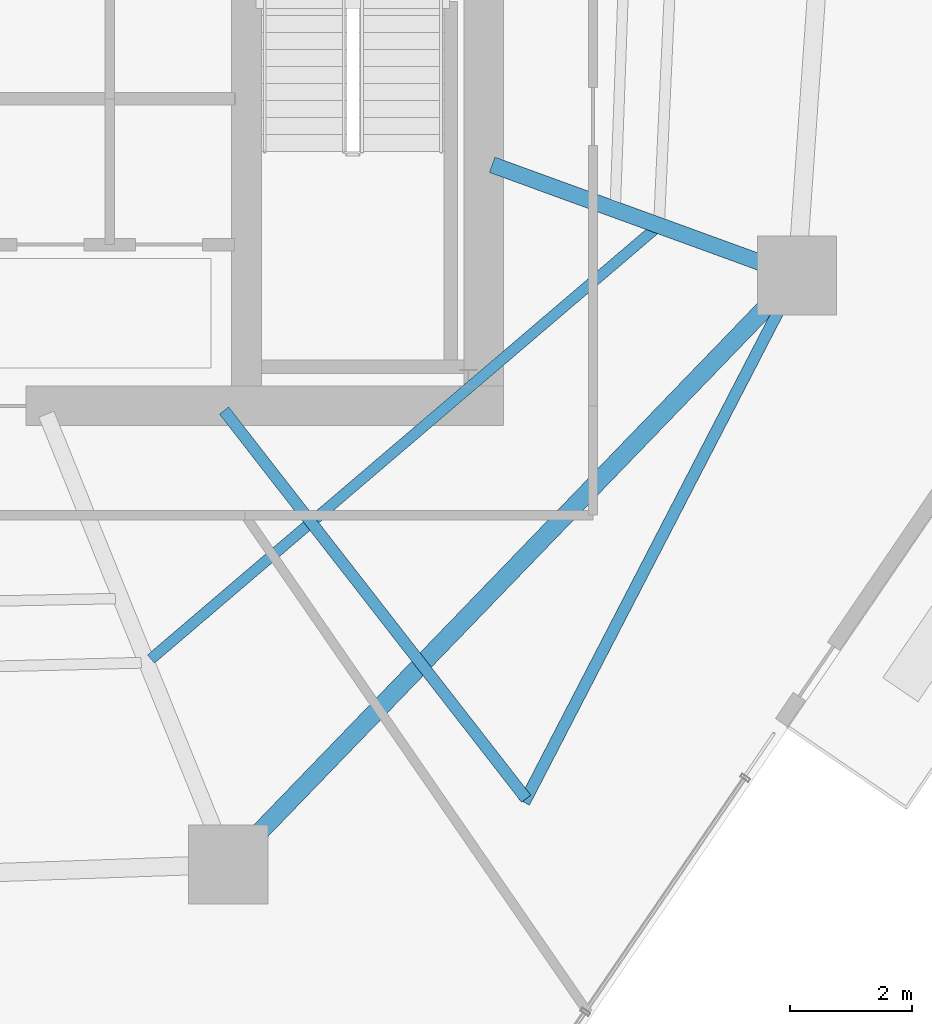
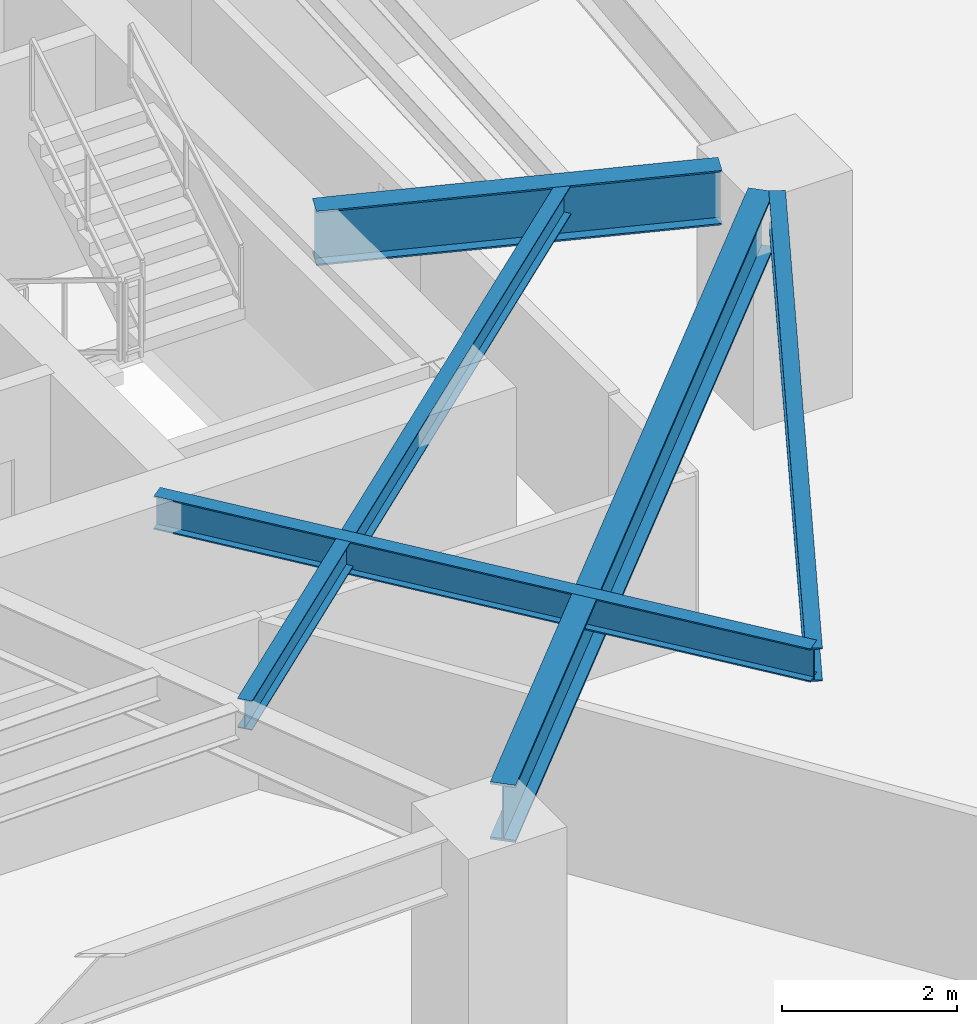
# One storey, part 12 of 30: 5 beams.
"""IFC4 building model written with IfcOpenShell, lengths in metres."""

import ifcopenshell
import ifcopenshell.guid

model = None  # the IFC model being written
_history = None  # IfcOwnerHistory: only IFC2X3 demands one
_inside = {}  # id of a spatial element -> (the spatial element, [elements in it])
_under = {}  # id of a project, library or spatial element -> (it, [spatial elements below it])
_declared = {}  # id of a project -> (the project, [libraries it declares])
_typed = {}  # id of a type object -> (the type object, [elements of that type])
_made_of = {}  # id of a material, layer set ... -> (it, [elements and type objects made of it])


def new_model(schema):
    """Start an empty IFC model of exactly this schema.

    Asked for "IFC4X3", IfcOpenShell would pick the latest addendum, in which some entities
    have other attributes; the version numbers below select the first issue.
    IFC2X3 requires an IfcOwnerHistory on every rooted entity: one is made here for all.
    """
    global model, _history
    if schema == "IFC4X3":
        model = ifcopenshell.file(schema_version=(4, 3, 0, 0))
    else:
        model = ifcopenshell.file(schema=schema)
    _inside.clear()
    _under.clear()
    _declared.clear()
    _typed.clear()
    _made_of.clear()
    _history = None
    if model.schema == "IFC2X3":
        org = make("IfcOrganization", Name="unknown")
        user = make(
            "IfcPersonAndOrganization",
            ThePerson=make("IfcPerson", FamilyName="unknown"),
            TheOrganization=org,
        )
        app = make(
            "IfcApplication",
            ApplicationDeveloper=org,
            Version="unknown",
            ApplicationFullName="unknown",
            ApplicationIdentifier="unknown",
        )
        _history = make(
            "IfcOwnerHistory",
            OwningUser=user,
            OwningApplication=app,
            ChangeAction="ADDED",
            CreationDate=0,
        )
    return model


def make(cls, **values):
    """One entity of the class cls with the attributes given. An attribute that is None is left unset."""
    return model.create_entity(
        cls, **{name: value for name, value in values.items() if value is not None}
    )


def rooted(cls, **values):
    """An entity with a GlobalId (a new one), such as an element, a storey or a relation."""
    return make(cls, GlobalId=ifcopenshell.guid.new(), OwnerHistory=_history, **values)


def si_unit(unit_type, name, prefix=None):
    """IfcSIUnit, for example si_unit("LENGTHUNIT", "METRE", prefix="MILLI")."""
    return make("IfcSIUnit", UnitType=unit_type, Prefix=prefix, Name=name)


def assignment(units):
    """IfcUnitAssignment: the units of a project."""
    return None if units is None else make("IfcUnitAssignment", Units=units)


def point(xyz):
    """IfcCartesianPoint."""
    return None if xyz is None else make("IfcCartesianPoint", Coordinates=xyz)


def direction(xyz):
    """IfcDirection."""
    return None if xyz is None else make("IfcDirection", DirectionRatios=xyz)


def frame(location, z_axis=None, x_axis=None):
    """IfcAxis2Placement3D, a coordinate frame: its origin and axes. An axis left out is left unset."""
    return make(
        "IfcAxis2Placement3D",
        Location=point(location),
        Axis=direction(z_axis),
        RefDirection=direction(x_axis),
    )


def frame_2d(location, x_axis=None):
    """IfcAxis2Placement2D, a coordinate frame in the plane: its origin and x axis."""
    return make(
        "IfcAxis2Placement2D", Location=point(location), RefDirection=direction(x_axis)
    )


def origin():
    """The frame at (0, 0, 0) with its axes left unset."""
    return frame((0.0, 0.0, 0.0))


def origin_2d():
    """The frame at (0, 0) in the plane with its x axis left unset."""
    return frame_2d((0.0, 0.0))


def place(relative_to, where):
    """IfcLocalPlacement: puts the frame where relative to a parent placement (None: the world)."""
    return make(
        "IfcLocalPlacement", PlacementRelTo=relative_to, RelativePlacement=where
    )


def context(
    kind, dimensions, precision=None, world=None, true_north=None, identifier=None
):
    """IfcGeometricRepresentationContext, for example the 3D "Model" context."""
    return make(
        "IfcGeometricRepresentationContext",
        ContextIdentifier=identifier,
        ContextType=kind,
        CoordinateSpaceDimension=dimensions,
        Precision=precision,
        WorldCoordinateSystem=world,
        TrueNorth=true_north,
    )


def subcontext(parent, identifier, kind, view, scale=None):
    """IfcGeometricRepresentationSubContext, for example "Body" below "Model"."""
    return make(
        "IfcGeometricRepresentationSubContext",
        ContextIdentifier=identifier,
        ContextType=kind,
        ParentContext=parent,
        TargetScale=scale,
        TargetView=view,
    )


def project(units=None, contexts=None):
    """IfcProject with its units and contexts."""
    return rooted(
        "IfcProject",
        Name="project",
        RepresentationContexts=contexts,
        UnitsInContext=assignment(units),
    )


def spatial(cls, under=None, at=None, **own):
    """A site, building, storey or space (cls), placed at a placement, below another one or the project."""
    s = rooted(cls, ObjectPlacement=at, **own)
    if under is not None:
        _under.setdefault(under.id(), (under, []))[1].append(s)
    return s


def profile(cls, at=None, kind="AREA", **sizes):
    """A parametric profile (cls). Its sizes go by their IFC names, for example OverallWidth=200.0."""
    return make(cls, ProfileType=kind, Position=at, **sizes)


def i_section(**sizes):
    """IfcIShapeProfileDef."""
    return profile("IfcIShapeProfileDef", **sizes)


def extrude(swept, where, along, depth):
    """IfcExtrudedAreaSolid: the profile swept, set in the frame where, extruded along a direction by depth."""
    return make(
        "IfcExtrudedAreaSolid",
        SweptArea=swept,
        Position=where,
        ExtrudedDirection=direction(along),
        Depth=depth,
    )


def shape(context_of_items, identifier, shape_type, items):
    """IfcShapeRepresentation: the items that make up one representation, for example the "Body"."""
    return make(
        "IfcShapeRepresentation",
        ContextOfItems=context_of_items,
        RepresentationIdentifier=identifier,
        RepresentationType=shape_type,
        Items=items,
    )


def material(Name=None, Category=None):
    """IfcMaterial."""
    return make("IfcMaterial", Name=Name, Category=Category)


def material_profile(
    of_material, cross_section, Name=None, Category=None, Priority=None
):
    """IfcMaterialProfile: a cross section and its material."""
    return make(
        "IfcMaterialProfile",
        Name=Name,
        Material=of_material,
        Profile=cross_section,
        Priority=Priority,
        Category=Category,
    )


def profile_set(profiles, Name=None, composite=None):
    """IfcMaterialProfileSet."""
    return make(
        "IfcMaterialProfileSet",
        Name=Name,
        MaterialProfiles=profiles,
        CompositeProfile=composite,
    )


def made_of(thing, what):
    """Note that an element or type object is made of a material, layer set ...; save() writes the relation."""
    if what is not None:
        _made_of.setdefault(what.id(), (what, []))[1].append(thing)
    return thing


def type_object(cls, material=None, **own):
    """A type object (cls), such as IfcWallType, which elements share."""
    return made_of(rooted(cls, **own), material)


def element(
    cls,
    number,
    at=None,
    inside=None,
    cuts=None,
    type_object=None,
    material=None,
    context=None,
    identifier="Body",
    shape_type=None,
    held_by="IfcProductDefinitionShape",
    body=None,
    shapes=None,
    **own,
):
    """One element of the class cls, such as IfcWall. Its Tag is "e" and its number.

    at: its placement. inside: the storey or other place that contains it. cuts: it is an
    opening in that element (IfcRelVoidsElement). A single representation is given by context,
    identifier, shape_type and body (its items); several are given by shapes. held_by: the class
    of the entity that holds the representations. save() writes the other relations.
    """
    e = rooted(cls, Tag="e%d" % number, ObjectPlacement=at, **own)
    if body is not None:
        shapes = [shape(context, identifier, shape_type, body)]
    if shapes is not None:
        e.Representation = make(held_by, Representations=shapes)
    if inside is not None:
        _inside.setdefault(inside.id(), (inside, []))[1].append(e)
    if cuts is not None:
        rooted(
            "IfcRelVoidsElement", RelatingBuildingElement=cuts, RelatedOpeningElement=e
        )
    if type_object is not None:
        _typed.setdefault(type_object.id(), (type_object, []))[1].append(e)
    return made_of(e, material)


def aggregate(whole, parts):
    """IfcRelAggregates: a whole, such as a stair, and the parts it consists of."""
    return rooted("IfcRelAggregates", RelatingObject=whole, RelatedObjects=parts)


def save(model, path):
    """Write the relations noted so far, then the file.

    IfcRelAggregates (storeys below a building ...), IfcRelContainedInSpatialStructure (elements
    in a storey), IfcRelDefinesByType, IfcRelAssociatesMaterial and IfcRelDeclares: one each for
    every whole, place, type object, material and project.
    """
    for whole, parts in _under.values():
        aggregate(whole, parts)
    for where, things in _inside.values():
        rooted(
            "IfcRelContainedInSpatialStructure",
            RelatedElements=things,
            RelatingStructure=where,
        )
    for kind, things in _typed.values():
        rooted("IfcRelDefinesByType", RelatedObjects=things, RelatingType=kind)
    for what, things in _made_of.values():
        rooted("IfcRelAssociatesMaterial", RelatedObjects=things, RelatingMaterial=what)
    for by, libraries in _declared.values():
        rooted("IfcRelDeclares", RelatingContext=by, RelatedDefinitions=libraries)
    model.write(path)


model = new_model("IFC4")

# Units and contexts
model_context = context("Model", 3, precision=1e-05, world=origin(), true_north=direction((0.0, 1.0)))
body_context = subcontext(model_context, "Body", "Model", "MODEL_VIEW")
ifc_project = project(units=[si_unit("LENGTHUNIT", "METRE"), si_unit("AREAUNIT", "SQUARE_METRE"), si_unit("VOLUMEUNIT", "CUBIC_METRE"), si_unit("PLANEANGLEUNIT", "RADIAN"), si_unit("MASSUNIT", "GRAM", prefix="KILO")], contexts=[model_context])

# Site, building, storey
site_placement = place(None, origin())
site = spatial("IfcSite", under=ifc_project, at=site_placement, CompositionType="ELEMENT")
building_placement = place(site_placement, origin())
building = spatial("IfcBuilding", under=site, at=building_placement, Name="Qarnah Convention Tower", CompositionType="ELEMENT")
storey_placement = place(building_placement, frame((0.0, 0.0, 51.14990234375)))
storey = spatial("IfcBuildingStorey", under=building, at=storey_placement, Name="L12", CompositionType="ELEMENT", Elevation=51.14990234375)

# Beams
ifc_material = material(Name="Structural steel S355JR", Category="steel")
ifc_material_profile_1 = material_profile(ifc_material, i_section(OverallWidth=0.19189453125, OverallDepth=0.464111328125, WebThickness=0.010986328125, FlangeThickness=0.01806640625, at=origin_2d()), Name="W460X89")
ifc_profile_set_1 = profile_set([ifc_material_profile_1], Name="Structural steel S355JR")
beam_type_1 = type_object("IfcBeamType", Name="BM-CANT-W460A", PredefinedType="BEAM", material=ifc_profile_set_1)
beam_1_placement = place(storey_placement, frame((43.3310546875, 18.52099609375, 2.93798828125), z_axis=(0.61429570134, -0.789075909729, 0.0), x_axis=(0.789075909729, 0.61429570134, 0.0)))
element("IfcBeam", 1, at=beam_1_placement, inside=storey, type_object=beam_type_1, Name="L12 beam BM-L12-CNT-03-2", PredefinedType="BEAM", context=body_context, shape_type="SweptSolid", body=[
    extrude(i_section(OverallWidth=0.19189453125, OverallDepth=0.464111328125, WebThickness=0.010986328125, FlangeThickness=0.01806640625, at=origin_2d()), origin(), (0.0, 0.0, 1.0), 8.090576171875),
])
beam_2_placement = place(storey_placement, frame((48.26904296875, 12.074951171875, 2.93798828125), z_axis=(0.459489942742, 0.888182972432, 0.0), x_axis=(-0.888182972432, 0.459489942742, 0.0)))
element("IfcBeam", 2, at=beam_2_placement, inside=storey, type_object=beam_type_1, Name="L12 spandrel BM-L12-CTIE-03", PredefinedType="SPANDREL", context=body_context, shape_type="SweptSolid", body=[
    extrude(i_section(OverallWidth=0.19189453125, OverallDepth=0.464111328125, WebThickness=0.010986328125, FlangeThickness=0.01806640625, at=origin_2d()), origin(), (0.0, 0.0, 1.0), 9.116455078125),
])
ifc_material_profile_2 = material_profile(ifc_material, i_section(OverallWidth=0.177978515625, OverallDepth=0.407958984375, WebThickness=0.008056640625, FlangeThickness=0.012939453125, at=origin_2d()), Name="W410X60")
ifc_profile_set_2 = profile_set([ifc_material_profile_2], Name="Structural steel S355JR")
beam_type_2 = type_object("IfcBeamType", Name="BM-JST-W410", PredefinedType="JOIST", material=ifc_profile_set_2)
beam_3_placement = place(storey_placement, frame((42.126953125, 14.43310546875, 2.966064453125), z_axis=(0.760695347203, 0.649109073071, 0.0), x_axis=(-0.649109073071, 0.760695347203, 0.0)))
element("IfcBeam", 3, at=beam_3_placement, inside=storey, type_object=beam_type_2, Name="L12 joist BM-L12-SJST-08", PredefinedType="JOIST", context=body_context, shape_type="SweptSolid", body=[
    extrude(i_section(OverallWidth=0.177978515625, OverallDepth=0.407958984375, WebThickness=0.008056640625, FlangeThickness=0.012939453125, at=origin_2d()), origin(), (0.0, 0.0, 1.0), 10.89794921875),
])
ifc_material_profile_3 = material_profile(ifc_material, i_section(OverallWidth=0.26806640625, OverallDepth=0.760009765625, WebThickness=0.014892578125, FlangeThickness=0.02197265625, at=origin_2d()), Name="W760X185")
ifc_profile_set_3 = profile_set([ifc_material_profile_3], Name="Structural steel S355JR")
beam_type_3 = type_object("IfcBeamType", Name="BM-RAD-W760", PredefinedType="BEAM", material=ifc_profile_set_3)
beam_4_placement = place(storey_placement, frame((47.740966796875, 22.56396484375, 2.7900390625), z_axis=(0.939656930297, -0.342118186224, 0.0), x_axis=(0.342118186224, 0.939656930297, 0.0)))
element("IfcBeam", 4, at=beam_4_placement, inside=storey, type_object=beam_type_3, Name="L12 beam BM-L12-RAD-09", PredefinedType="BEAM", context=body_context, shape_type="SweptSolid", body=[
    extrude(i_section(OverallWidth=0.26806640625, OverallDepth=0.760009765625, WebThickness=0.014892578125, FlangeThickness=0.02197265625, at=origin_2d()), origin(), (0.0, 0.0, 1.0), 4.70263671875),
])
ifc_material_profile_4 = material_profile(ifc_material, i_section(OverallWidth=0.300048828125, OverallDepth=0.800048828125, WebThickness=0.01806640625, FlangeThickness=0.032958984375, at=origin_2d()), Name="HEB800")
ifc_profile_set_4 = profile_set([ifc_material_profile_4], Name="Structural steel S355JR")
beam_type_4 = type_object("IfcBeamType", Name="BM-RING-HEB800", PredefinedType="BEAM", material=ifc_profile_set_4)
beam_5_placement = place(storey_placement, frame((43.844970703125, 11.514892578125, 2.77001953125), z_axis=(0.694553028655, 0.719441512832, 0.0), x_axis=(-0.719441512832, 0.694553028655, 0.0)))
element("IfcBeam", 5, at=beam_5_placement, inside=storey, type_object=beam_type_4, Name="L12 beam BM-L12-SPN-08", PredefinedType="BEAM", context=body_context, shape_type="SweptSolid", body=[
    extrude(i_section(OverallWidth=0.300048828125, OverallDepth=0.800048828125, WebThickness=0.01806640625, FlangeThickness=0.032958984375, at=origin_2d()), origin(), (0.0, 0.0, 1.0), 12.183349609375),
])

save(model, "model.ifc")
